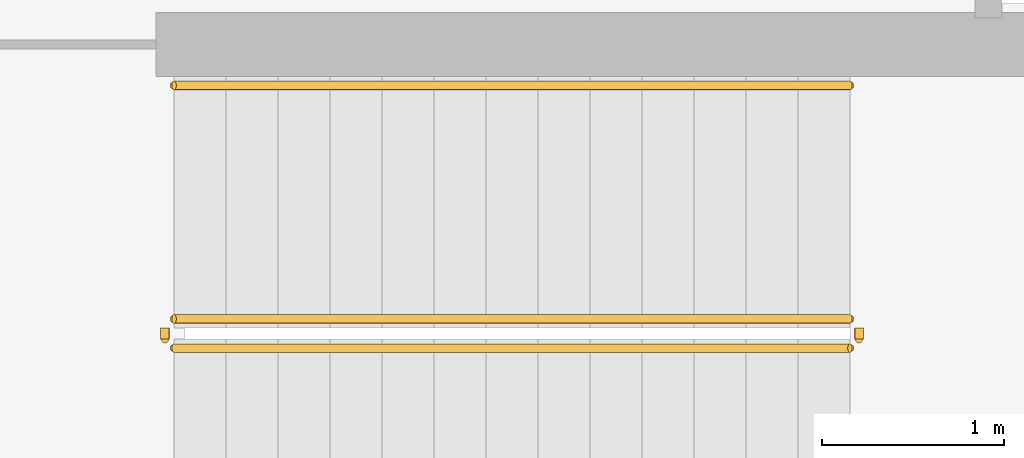
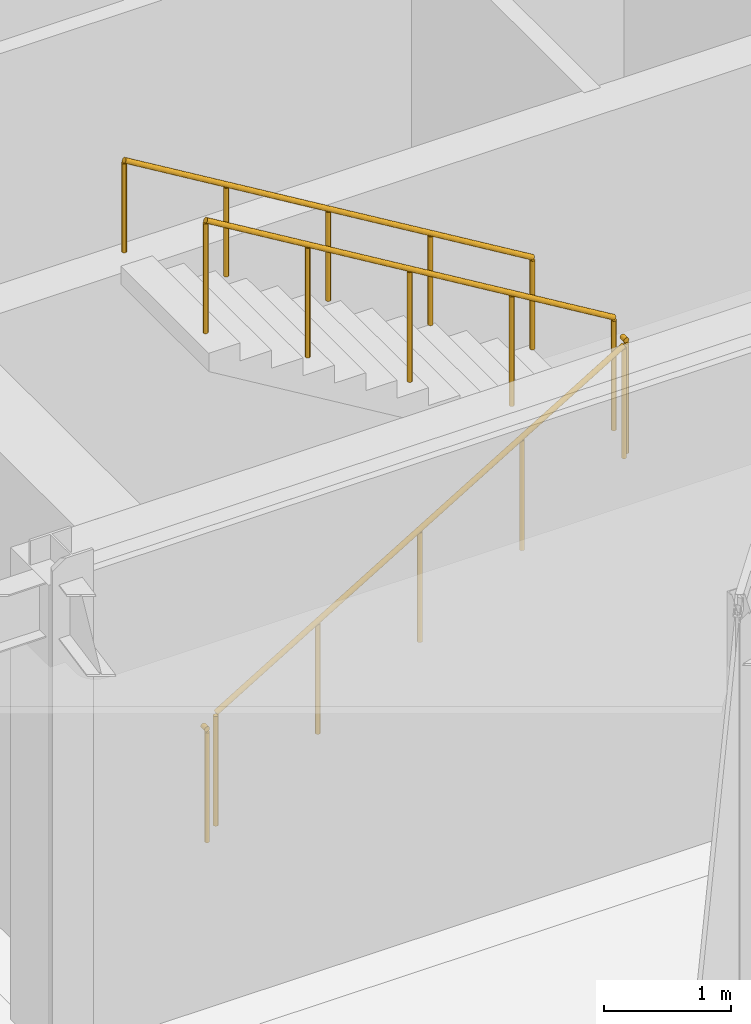
# One storey, part 13 of 15: 5 railings.
"""IFC4 building model written with IfcOpenShell, lengths in metres."""

from ifc_helpers import new_model, si_unit, direction, frame, origin, origin_2d, place, context, subcontext, project, spatial, circle, extrude, material, type_object, element, save


model = new_model("IFC4")

# Units and contexts
model_context = context("Model", 3, precision=1e-05, world=origin(), true_north=direction((0.0, 1.0)))
body_context = subcontext(model_context, "Body", "Model", "MODEL_VIEW")
ifc_project = project(units=[si_unit("LENGTHUNIT", "METRE"), si_unit("AREAUNIT", "SQUARE_METRE"), si_unit("VOLUMEUNIT", "CUBIC_METRE"), si_unit("PLANEANGLEUNIT", "RADIAN"), si_unit("MASSUNIT", "GRAM", prefix="KILO")], contexts=[model_context])

# Site, building, storey
site_placement = place(None, origin())
site = spatial("IfcSite", under=ifc_project, at=site_placement, CompositionType="ELEMENT")
building_placement = place(site_placement, origin())
building = spatial("IfcBuilding", under=site, at=building_placement, Name="Veymaron Broadcast Tower", CompositionType="ELEMENT")
storey_placement = place(building_placement, frame((0.0, 0.0, 262.050048828125)))
storey = spatial("IfcBuildingStorey", under=building, at=storey_placement, Name="L61", CompositionType="ELEMENT", Elevation=262.050048828125)

# Railings
ifc_material_1 = material(Name="Brushed stainless steel AISI 304", Category="steel")
railing_type_1 = type_object("IfcRailingType", Name="RAIL-STAIR-HR", PredefinedType="HANDRAIL", material=ifc_material_1)
railing_1_placement = place(storey_placement, frame((45.135009765625, 19.219970703125, 2.5712890625)))
element("IfcRailing", 1, at=railing_1_placement, inside=storey, type_object=railing_type_1, Name="L61 ST2 stair handrail 2", PredefinedType="HANDRAIL", context=body_context, shape_type="SweptSolid", body=[
    extrude(circle(Radius=0.02392578125, at=origin_2d()), frame((0.0, 0.0, 0.8759765625), z_axis=(-0.856909459561, 0.0, 0.515466951525), x_axis=(0.0, -1.0, 0.0)), (0.0, 0.0, 1.0), 4.32373046875),
    extrude(circle(Radius=0.02099609375, at=origin_2d()), origin(), (0.0, 0.0, 1.0), 0.851806640625),
    extrude(circle(Radius=0.02099609375, at=origin_2d()), frame((-0.92626953125, 0.0, 0.55712890625)), (0.0, 0.0, 1.0), 0.851806640625),
    extrude(circle(Radius=0.02099609375, at=origin_2d()), frame((-1.8525390625, 0.0, 1.1142578125)), (0.0, 0.0, 1.0), 0.851806640625),
    extrude(circle(Radius=0.02099609375, at=origin_2d()), frame((-2.77880859375, 0.0, 1.671630859375)), (0.0, 0.0, 1.0), 0.851806640625),
    extrude(circle(Radius=0.02099609375, at=origin_2d()), frame((-3.705078125, 0.0, 2.228759765625)), (0.0, 0.0, 1.0), 0.851806640625),
])
ifc_material_2 = material(Name="Painted galvanized steel balustrade", Category="steel")
railing_type_2 = type_object("IfcRailingType", Name="RAIL-WELL-GRD", PredefinedType="GUARDRAIL", material=ifc_material_2)
railing_2_placement = place(storey_placement, frame((41.429931640625, 17.780029296875, 0.17138671875)))
element("IfcRailing", 2, at=railing_2_placement, inside=storey, type_object=railing_type_2, Name="L61 ST2 stair guard 1", PredefinedType="GUARDRAIL", context=body_context, shape_type="SweptSolid", body=[
    extrude(circle(Radius=0.02392578125, at=origin_2d()), frame((0.0, 0.0, 1.076171875), z_axis=(0.856934400257, 0.0, 0.515425487977), x_axis=(0.0, 1.0, 0.0)), (0.0, 0.0, 1.0), 4.32373046875),
    extrude(circle(Radius=0.02099609375, at=origin_2d()), origin(), (0.0, 0.0, 1.0), 1.052001953125),
    extrude(circle(Radius=0.02099609375, at=origin_2d()), frame((0.92626953125, 0.0, 0.55712890625)), (0.0, 0.0, 1.0), 1.052001953125),
    extrude(circle(Radius=0.02099609375, at=origin_2d()), frame((1.8525390625, 0.0, 1.1142578125)), (0.0, 0.0, 1.0), 1.052001953125),
    extrude(circle(Radius=0.02099609375, at=origin_2d()), frame((2.77880859375, 0.0, 1.67138671875)), (0.0, 0.0, 1.0), 1.052001953125),
    extrude(circle(Radius=0.02099609375, at=origin_2d()), frame((3.705078125, 0.0, 2.228515625)), (0.0, 0.0, 1.0), 1.052001953125),
])
railing_3_placement = place(storey_placement, frame((45.18505859375, 17.830078125, 2.39990234375)))
element("IfcRailing", 3, at=railing_3_placement, inside=storey, type_object=railing_type_2, Name="L61 ST2 stair guard 2", PredefinedType="GUARDRAIL", context=body_context, shape_type="SweptSolid", body=[
    extrude(circle(Radius=0.02392578125, at=origin_2d()), frame((0.0, 0.0, 1.076171875), z_axis=(0.0, 1.0, 0.0), x_axis=(-1.0, 0.0, 0.0)), (0.0, 0.0, 1.0), 0.059814453125),
    extrude(circle(Radius=0.02099609375, at=origin_2d()), origin(), (0.0, 0.0, 1.0), 1.052001953125),
])
railing_4_placement = place(storey_placement, frame((45.135009765625, 17.93994140625, 2.5712890625)))
element("IfcRailing", 4, at=railing_4_placement, inside=storey, type_object=railing_type_2, Name="L61 ST2 stair guard 3", PredefinedType="GUARDRAIL", context=body_context, shape_type="SweptSolid", body=[
    extrude(circle(Radius=0.02392578125, at=origin_2d()), frame((0.0, 0.0, 1.076171875), z_axis=(-0.856909459561, 0.0, 0.515466951525), x_axis=(0.0, -1.0, 0.0)), (0.0, 0.0, 1.0), 4.32373046875),
    extrude(circle(Radius=0.02099609375, at=origin_2d()), origin(), (0.0, 0.0, 1.0), 1.052001953125),
    extrude(circle(Radius=0.02099609375, at=origin_2d()), frame((-0.92626953125, 0.0, 0.55712890625)), (0.0, 0.0, 1.0), 1.052001953125),
    extrude(circle(Radius=0.02099609375, at=origin_2d()), frame((-1.8525390625, 0.0, 1.1142578125)), (0.0, 0.0, 1.0), 1.052001953125),
    extrude(circle(Radius=0.02099609375, at=origin_2d()), frame((-2.77880859375, 0.0, 1.671630859375)), (0.0, 0.0, 1.0), 1.052001953125),
    extrude(circle(Radius=0.02099609375, at=origin_2d()), frame((-3.705078125, 0.0, 2.228759765625)), (0.0, 0.0, 1.0), 1.052001953125),
])
railing_5_placement = place(storey_placement, frame((41.3798828125, 17.830078125, 0.0)))
element("IfcRailing", 5, at=railing_5_placement, inside=storey, type_object=railing_type_2, Name="L61 ST2 stair guard 4", PredefinedType="GUARDRAIL", context=body_context, shape_type="SweptSolid", body=[
    extrude(circle(Radius=0.02392578125, at=origin_2d()), frame((0.0, 0.0, 1.076171875), z_axis=(0.0, 1.0, 0.0), x_axis=(-1.0, 0.0, 0.0)), (0.0, 0.0, 1.0), 0.059814453125),
    extrude(circle(Radius=0.02099609375, at=origin_2d()), origin(), (0.0, 0.0, 1.0), 1.052001953125),
])

save(model, "model.ifc")
